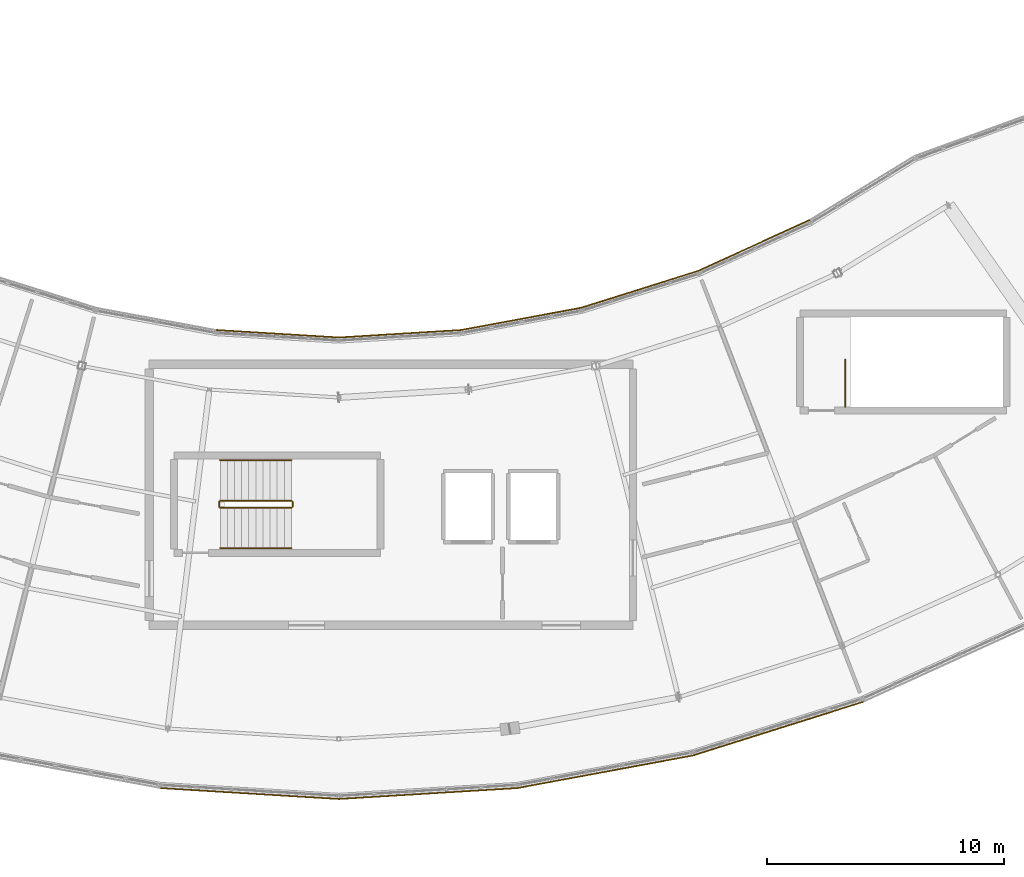
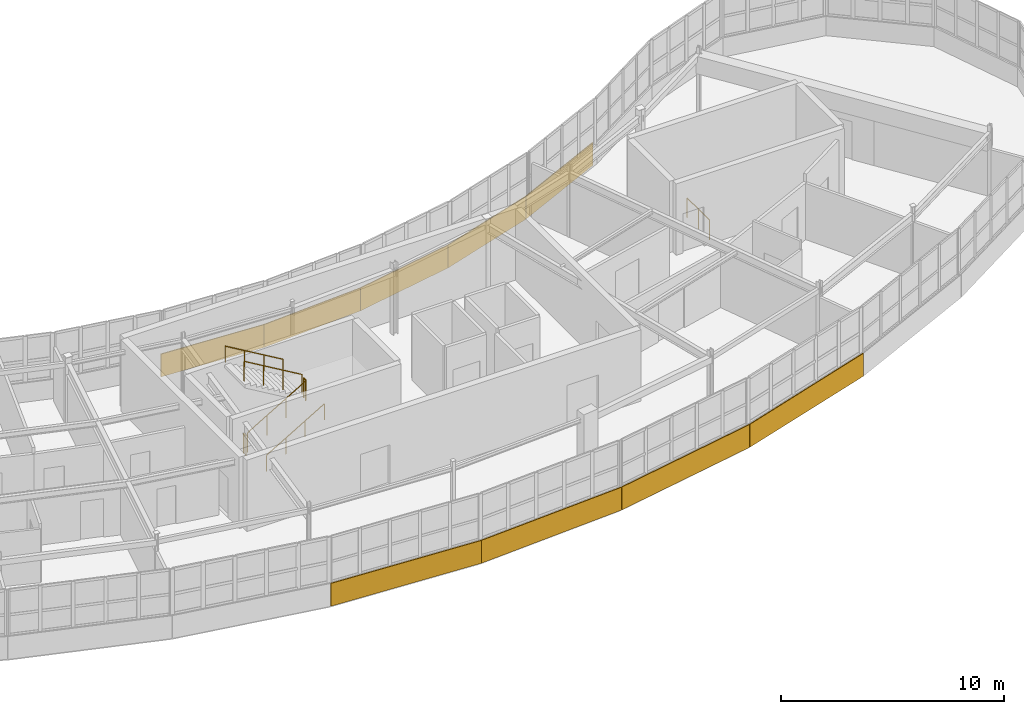
# One storey, part 74 of 79: 9 coverings, 7 railings.
"""IFC4 building model written with IfcOpenShell, lengths in metres."""

import ifcopenshell
import ifcopenshell.guid

model = None  # the IFC model being written
_history = None  # IfcOwnerHistory: only IFC2X3 demands one
_inside = {}  # id of a spatial element -> (the spatial element, [elements in it])
_under = {}  # id of a project, library or spatial element -> (it, [spatial elements below it])
_declared = {}  # id of a project -> (the project, [libraries it declares])
_typed = {}  # id of a type object -> (the type object, [elements of that type])
_made_of = {}  # id of a material, layer set ... -> (it, [elements and type objects made of it])


def new_model(schema):
    """Start an empty IFC model of exactly this schema.

    Asked for "IFC4X3", IfcOpenShell would pick the latest addendum, in which some entities
    have other attributes; the version numbers below select the first issue.
    IFC2X3 requires an IfcOwnerHistory on every rooted entity: one is made here for all.
    """
    global model, _history
    if schema == "IFC4X3":
        model = ifcopenshell.file(schema_version=(4, 3, 0, 0))
    else:
        model = ifcopenshell.file(schema=schema)
    _inside.clear()
    _under.clear()
    _declared.clear()
    _typed.clear()
    _made_of.clear()
    _history = None
    if model.schema == "IFC2X3":
        org = make("IfcOrganization", Name="unknown")
        user = make(
            "IfcPersonAndOrganization",
            ThePerson=make("IfcPerson", FamilyName="unknown"),
            TheOrganization=org,
        )
        app = make(
            "IfcApplication",
            ApplicationDeveloper=org,
            Version="unknown",
            ApplicationFullName="unknown",
            ApplicationIdentifier="unknown",
        )
        _history = make(
            "IfcOwnerHistory",
            OwningUser=user,
            OwningApplication=app,
            ChangeAction="ADDED",
            CreationDate=0,
        )
    return model


def make(cls, **values):
    """One entity of the class cls with the attributes given. An attribute that is None is left unset."""
    return model.create_entity(
        cls, **{name: value for name, value in values.items() if value is not None}
    )


def rooted(cls, **values):
    """An entity with a GlobalId (a new one), such as an element, a storey or a relation."""
    return make(cls, GlobalId=ifcopenshell.guid.new(), OwnerHistory=_history, **values)


def si_unit(unit_type, name, prefix=None):
    """IfcSIUnit, for example si_unit("LENGTHUNIT", "METRE", prefix="MILLI")."""
    return make("IfcSIUnit", UnitType=unit_type, Prefix=prefix, Name=name)


def assignment(units):
    """IfcUnitAssignment: the units of a project."""
    return None if units is None else make("IfcUnitAssignment", Units=units)


def point(xyz):
    """IfcCartesianPoint."""
    return None if xyz is None else make("IfcCartesianPoint", Coordinates=xyz)


def direction(xyz):
    """IfcDirection."""
    return None if xyz is None else make("IfcDirection", DirectionRatios=xyz)


def frame(location, z_axis=None, x_axis=None):
    """IfcAxis2Placement3D, a coordinate frame: its origin and axes. An axis left out is left unset."""
    return make(
        "IfcAxis2Placement3D",
        Location=point(location),
        Axis=direction(z_axis),
        RefDirection=direction(x_axis),
    )


def frame_2d(location, x_axis=None):
    """IfcAxis2Placement2D, a coordinate frame in the plane: its origin and x axis."""
    return make(
        "IfcAxis2Placement2D", Location=point(location), RefDirection=direction(x_axis)
    )


def origin():
    """The frame at (0, 0, 0) with its axes left unset."""
    return frame((0.0, 0.0, 0.0))


def origin_2d():
    """The frame at (0, 0) in the plane with its x axis left unset."""
    return frame_2d((0.0, 0.0))


def place(relative_to, where):
    """IfcLocalPlacement: puts the frame where relative to a parent placement (None: the world)."""
    return make(
        "IfcLocalPlacement", PlacementRelTo=relative_to, RelativePlacement=where
    )


def context(
    kind, dimensions, precision=None, world=None, true_north=None, identifier=None
):
    """IfcGeometricRepresentationContext, for example the 3D "Model" context."""
    return make(
        "IfcGeometricRepresentationContext",
        ContextIdentifier=identifier,
        ContextType=kind,
        CoordinateSpaceDimension=dimensions,
        Precision=precision,
        WorldCoordinateSystem=world,
        TrueNorth=true_north,
    )


def subcontext(parent, identifier, kind, view, scale=None):
    """IfcGeometricRepresentationSubContext, for example "Body" below "Model"."""
    return make(
        "IfcGeometricRepresentationSubContext",
        ContextIdentifier=identifier,
        ContextType=kind,
        ParentContext=parent,
        TargetScale=scale,
        TargetView=view,
    )


def project(units=None, contexts=None):
    """IfcProject with its units and contexts."""
    return rooted(
        "IfcProject",
        Name="project",
        RepresentationContexts=contexts,
        UnitsInContext=assignment(units),
    )


def spatial(cls, under=None, at=None, **own):
    """A site, building, storey or space (cls), placed at a placement, below another one or the project."""
    s = rooted(cls, ObjectPlacement=at, **own)
    if under is not None:
        _under.setdefault(under.id(), (under, []))[1].append(s)
    return s


def profile(cls, at=None, kind="AREA", **sizes):
    """A parametric profile (cls). Its sizes go by their IFC names, for example OverallWidth=200.0."""
    return make(cls, ProfileType=kind, Position=at, **sizes)


def rectangle(**sizes):
    """IfcRectangleProfileDef."""
    return profile("IfcRectangleProfileDef", **sizes)


def circle(**sizes):
    """IfcCircleProfileDef."""
    return profile("IfcCircleProfileDef", **sizes)


def extrude(swept, where, along, depth):
    """IfcExtrudedAreaSolid: the profile swept, set in the frame where, extruded along a direction by depth."""
    return make(
        "IfcExtrudedAreaSolid",
        SweptArea=swept,
        Position=where,
        ExtrudedDirection=direction(along),
        Depth=depth,
    )


def shape(context_of_items, identifier, shape_type, items):
    """IfcShapeRepresentation: the items that make up one representation, for example the "Body"."""
    return make(
        "IfcShapeRepresentation",
        ContextOfItems=context_of_items,
        RepresentationIdentifier=identifier,
        RepresentationType=shape_type,
        Items=items,
    )


def material(Name=None, Category=None):
    """IfcMaterial."""
    return make("IfcMaterial", Name=Name, Category=Category)


def layer(
    of_material, thickness, ventilated=None, Name=None, Category=None, Priority=None
):
    """IfcMaterialLayer: one layer of a wall or slab, of a material (None: an air gap)."""
    return make(
        "IfcMaterialLayer",
        Material=of_material,
        LayerThickness=thickness,
        IsVentilated=ventilated,
        Name=Name,
        Category=Category,
        Priority=Priority,
    )


def layer_set(layers, Name=None):
    """IfcMaterialLayerSet."""
    return make("IfcMaterialLayerSet", MaterialLayers=layers, LayerSetName=Name)


def made_of(thing, what):
    """Note that an element or type object is made of a material, layer set ...; save() writes the relation."""
    if what is not None:
        _made_of.setdefault(what.id(), (what, []))[1].append(thing)
    return thing


def type_object(cls, material=None, **own):
    """A type object (cls), such as IfcWallType, which elements share."""
    return made_of(rooted(cls, **own), material)


def element(
    cls,
    number,
    at=None,
    inside=None,
    cuts=None,
    type_object=None,
    material=None,
    context=None,
    identifier="Body",
    shape_type=None,
    held_by="IfcProductDefinitionShape",
    body=None,
    shapes=None,
    **own,
):
    """One element of the class cls, such as IfcWall. Its Tag is "e" and its number.

    at: its placement. inside: the storey or other place that contains it. cuts: it is an
    opening in that element (IfcRelVoidsElement). A single representation is given by context,
    identifier, shape_type and body (its items); several are given by shapes. held_by: the class
    of the entity that holds the representations. save() writes the other relations.
    """
    e = rooted(cls, Tag="e%d" % number, ObjectPlacement=at, **own)
    if body is not None:
        shapes = [shape(context, identifier, shape_type, body)]
    if shapes is not None:
        e.Representation = make(held_by, Representations=shapes)
    if inside is not None:
        _inside.setdefault(inside.id(), (inside, []))[1].append(e)
    if cuts is not None:
        rooted(
            "IfcRelVoidsElement", RelatingBuildingElement=cuts, RelatedOpeningElement=e
        )
    if type_object is not None:
        _typed.setdefault(type_object.id(), (type_object, []))[1].append(e)
    return made_of(e, material)


def aggregate(whole, parts):
    """IfcRelAggregates: a whole, such as a stair, and the parts it consists of."""
    return rooted("IfcRelAggregates", RelatingObject=whole, RelatedObjects=parts)


def save(model, path):
    """Write the relations noted so far, then the file.

    IfcRelAggregates (storeys below a building ...), IfcRelContainedInSpatialStructure (elements
    in a storey), IfcRelDefinesByType, IfcRelAssociatesMaterial and IfcRelDeclares: one each for
    every whole, place, type object, material and project.
    """
    for whole, parts in _under.values():
        aggregate(whole, parts)
    for where, things in _inside.values():
        rooted(
            "IfcRelContainedInSpatialStructure",
            RelatedElements=things,
            RelatingStructure=where,
        )
    for kind, things in _typed.values():
        rooted("IfcRelDefinesByType", RelatedObjects=things, RelatingType=kind)
    for what, things in _made_of.values():
        rooted("IfcRelAssociatesMaterial", RelatedObjects=things, RelatingMaterial=what)
    for by, libraries in _declared.values():
        rooted("IfcRelDeclares", RelatingContext=by, RelatedDefinitions=libraries)
    model.write(path)


model = new_model("IFC4")

# Units and contexts
model_context = context("Model", 3, precision=1e-05, world=origin(), true_north=direction((0.0, 1.0)))
body_context = subcontext(model_context, "Body", "Model", "MODEL_VIEW")
ifc_project = project(units=[si_unit("LENGTHUNIT", "METRE"), si_unit("AREAUNIT", "SQUARE_METRE"), si_unit("VOLUMEUNIT", "CUBIC_METRE"), si_unit("PLANEANGLEUNIT", "RADIAN"), si_unit("MASSUNIT", "GRAM", prefix="KILO")], contexts=[model_context])

# Site, building, storey
site_placement = place(None, origin())
site = spatial("IfcSite", under=ifc_project, at=site_placement, CompositionType="ELEMENT")
building_placement = place(site_placement, origin())
building = spatial("IfcBuilding", under=site, at=building_placement, Name="Tarnwether General Hospital", CompositionType="ELEMENT")
storey_placement = place(building_placement, frame((0.0, 0.0, 18.300048828125)))
storey = spatial("IfcBuildingStorey", under=building, at=storey_placement, Name="L04", CompositionType="ELEMENT", Elevation=18.300048828125)

# Coverings
ifc_material_1 = material(Name="Streamlined white enamelled aluminium", Category="aluminium")
ifc_layer = layer(ifc_material_1, 0.044921875)
ifc_layer_set = layer_set([ifc_layer], Name="Streamlined white enamelled aluminium")
covering_type = type_object("IfcCoveringType", Name="CV-CLD-WHT", PredefinedType="CLADDING", material=ifc_layer_set)
for number, where, z_axis, x_axis, name in (
    (1, (88.238037109375, 1.498046875, -0.175048828125), (0.0, 0.0, 1.0), (-0.998135863768, 0.061031118787, 0.0), "Streamlined White Horizontal Band SE L04 05"),
    (2, (95.761962890625, 1.498046875, -0.175048828125), (0.0, 0.0, 1.0), (-0.998135863768, -0.061031118787, 0.0), "Streamlined White Horizontal Band SE L04 06"),
    (3, (103.22900390625, 2.4150390625, -0.175048828125), (0.0, 0.0, 1.0), (-0.983245364386, -0.182287008349, 0.0), "Streamlined White Horizontal Band SE L04 07"),
    (4, (110.528076171875, 4.235107421875, -0.175048828125), (0.0, 0.0, 1.0), (-0.953743188648, -0.300622570855, 0.0), "Streamlined White Horizontal Band SE L04 08"),
):
    element("IfcCovering", number, at=place(storey_placement, frame(where, z_axis=z_axis, x_axis=x_axis)), inside=storey, type_object=covering_type, Name=name, PredefinedType="CLADDING", context=body_context, shape_type="SweptSolid", body=[
        extrude(rectangle(XDim=7.52099609375, YDim=0.044921875, at=origin_2d()), origin(), (0.0, 0.0, 1.0), 1.25),
    ])
covering_1_placement = place(storey_placement, frame((109.49609375, 24.610107421875, -0.175048828125), z_axis=(0.0, 0.0, 1.0), x_axis=(0.909954032975, 0.414709124413, 0.0)))
element("IfcCovering", 5, at=covering_1_placement, inside=storey, type_object=covering_type, Name="Streamlined White Horizontal Band SE L04 18", PredefinedType="CLADDING", context=body_context, shape_type="SweptSolid", body=[
    extrude(rectangle(XDim=5.177001953125, YDim=0.044921875, at=origin_2d()), origin(), (0.0, 0.0, 1.0), 1.25),
])
covering_2_placement = place(storey_placement, frame((104.68603515625, 22.762939453125, -0.175048828125), z_axis=(0.0, 0.0, 1.0), x_axis=(0.953711702297, 0.300722444959, 0.0)))
element("IfcCovering", 6, at=covering_2_placement, inside=storey, type_object=covering_type, Name="Streamlined White Horizontal Band SE L04 19", PredefinedType="CLADDING", context=body_context, shape_type="SweptSolid", body=[
    extrude(rectangle(XDim=5.177978515625, YDim=0.044921875, at=origin_2d()), origin(), (0.0, 0.0, 1.0), 1.25),
])
for number, where, z_axis, x_axis, name in (
    (7, (99.68798828125, 21.51708984375, -0.175048828125), (0.0, 0.0, 1.0), (0.983267627608, 0.182166880906, 0.0), "Streamlined White Horizontal Band SE L04 20"),
    (8, (94.574951171875, 20.889892578125, -0.175048828125), (0.0, 0.0, 1.0), (0.998134798422, 0.061048539535, 0.0), "Streamlined White Horizontal Band SE L04 21"),
    (9, (89.425048828125, 20.889892578125, -0.175048828125), (0.0, 0.0, 1.0), (0.998134798422, -0.061048539535, 0.0), "Streamlined White Horizontal Band SE L04 22"),
):
    element("IfcCovering", number, at=place(storey_placement, frame(where, z_axis=z_axis, x_axis=x_axis)), inside=storey, type_object=covering_type, Name=name, PredefinedType="CLADDING", context=body_context, shape_type="SweptSolid", body=[
        extrude(rectangle(XDim=5.177001953125, YDim=0.044921875, at=origin_2d()), origin(), (0.0, 0.0, 1.0), 1.25),
    ])

# Railings
ifc_material_2 = material(Name="Anodised aluminium", Category="aluminium")
railing_type_1 = type_object("IfcRailingType", Name="RL-GRD-INT", PredefinedType="GUARDRAIL", material=ifc_material_2)
railing_1_placement = place(storey_placement, frame((87.0, 13.550048828125, 0.17724609375)))
element("IfcRailing", 10, at=railing_1_placement, inside=storey, type_object=railing_type_1, Name="L04 ST-02 stair guard 1", PredefinedType="GUARDRAIL", context=body_context, shape_type="SweptSolid", body=[
    extrude(circle(Radius=0.02392578125, at=origin_2d()), frame((0.0, 0.0, 1.076171875), z_axis=(0.86092931783, 0.0, 0.508724591208), x_axis=(0.0, 1.0, 0.0)), (0.0, 0.0, 1.0), 3.484619140625),
    extrude(circle(Radius=0.02099609375, at=origin_2d()), origin(), (0.0, 0.0, 1.0), 1.052001953125),
    extrude(circle(Radius=0.02099609375, at=origin_2d()), frame((1.0, 0.0, 0.5908203125)), (0.0, 0.0, 1.0), 1.052001953125),
    extrude(circle(Radius=0.02099609375, at=origin_2d()), frame((2.0, 0.0, 1.181884765625)), (0.0, 0.0, 1.0), 1.052001953125),
    extrude(circle(Radius=0.02099609375, at=origin_2d()), frame((3.0, 0.0, 1.772705078125)), (0.0, 0.0, 1.0), 1.052001953125),
])
railing_2_placement = place(storey_placement, frame((90.050048828125, 13.60009765625, 1.949951171875)))
element("IfcRailing", 11, at=railing_2_placement, inside=storey, type_object=railing_type_1, Name="L04 ST-02 stair guard 2", PredefinedType="GUARDRAIL", context=body_context, shape_type="SweptSolid", body=[
    extrude(circle(Radius=0.02392578125, at=origin_2d()), frame((0.0, 0.0, 1.076171875), z_axis=(0.0, 1.0, 0.0), x_axis=(-1.0, 0.0, 0.0)), (0.0, 0.0, 1.0), 0.199951171875),
    extrude(circle(Radius=0.02099609375, at=origin_2d()), origin(), (0.0, 0.0, 1.0), 1.052001953125),
    extrude(circle(Radius=0.02099609375, at=origin_2d()), frame((0.0, 0.199951171875, 0.0)), (0.0, 0.0, 1.0), 1.052001953125),
])
railing_3_placement = place(storey_placement, frame((90.0, 13.85009765625, 2.127197265625)))
element("IfcRailing", 12, at=railing_3_placement, inside=storey, type_object=railing_type_1, Name="L04 ST-02 stair guard 3", PredefinedType="GUARDRAIL", context=body_context, shape_type="SweptSolid", body=[
    extrude(circle(Radius=0.02392578125, at=origin_2d()), frame((0.0, 0.0, 1.076171875), z_axis=(-0.86092931783, 0.0, 0.508724591208), x_axis=(0.0, -1.0, 0.0)), (0.0, 0.0, 1.0), 3.484619140625),
    extrude(circle(Radius=0.02099609375, at=origin_2d()), origin(), (0.0, 0.0, 1.0), 1.052001953125),
    extrude(circle(Radius=0.02099609375, at=origin_2d()), frame((-1.0, 0.0, 0.5908203125)), (0.0, 0.0, 1.0), 1.052001953125),
    extrude(circle(Radius=0.02099609375, at=origin_2d()), frame((-2.0, 0.0, 1.181884765625)), (0.0, 0.0, 1.0), 1.052001953125),
    extrude(circle(Radius=0.02099609375, at=origin_2d()), frame((-3.0, 0.0, 1.772705078125)), (0.0, 0.0, 1.0), 1.052001953125),
])
railing_4_placement = place(storey_placement, frame((86.949951171875, 13.60009765625, 0.0)))
element("IfcRailing", 13, at=railing_4_placement, inside=storey, type_object=railing_type_1, Name="L04 ST-02 stair guard 4", PredefinedType="GUARDRAIL", context=body_context, shape_type="SweptSolid", body=[
    extrude(circle(Radius=0.02392578125, at=origin_2d()), frame((0.0, 0.0, 1.076171875), z_axis=(0.0, 1.0, 0.0), x_axis=(-1.0, 0.0, 0.0)), (0.0, 0.0, 1.0), 0.199951171875),
    extrude(circle(Radius=0.02099609375, at=origin_2d()), origin(), (0.0, 0.0, 1.0), 1.052001953125),
    extrude(circle(Radius=0.02099609375, at=origin_2d()), frame((0.0, 0.199951171875, 0.0)), (0.0, 0.0, 1.0), 1.052001953125),
])
railing_5_placement = place(storey_placement, frame((113.35009765625, 17.800048828125, 0.0)))
element("IfcRailing", 14, at=railing_5_placement, inside=storey, type_object=railing_type_1, Name="L04 ST-10 top well guard 1", PredefinedType="GUARDRAIL", context=body_context, shape_type="SweptSolid", body=[
    extrude(circle(Radius=0.02392578125, at=origin_2d()), frame((0.0, 0.0, 1.076171875), z_axis=(0.0, 1.0, 0.0), x_axis=(-1.0, 0.0, 0.0)), (0.0, 0.0, 1.0), 2.0),
    extrude(circle(Radius=0.02099609375, at=origin_2d()), origin(), (0.0, 0.0, 1.0), 1.052001953125),
    extrude(circle(Radius=0.02099609375, at=origin_2d()), frame((0.0, 1.0, 0.0)), (0.0, 0.0, 1.0), 1.052001953125),
    extrude(circle(Radius=0.02099609375, at=origin_2d()), frame((0.0, 2.0, 0.0)), (0.0, 0.0, 1.0), 1.052001953125),
])
ifc_material_3 = material(Name="Anodised aluminium", Category="aluminium")
railing_type_2 = type_object("IfcRailingType", Name="RL-HND-INT", PredefinedType="HANDRAIL", material=ifc_material_3)
railing_6_placement = place(storey_placement, frame((87.0, 11.85009765625, 0.17724609375)))
element("IfcRailing", 15, at=railing_6_placement, inside=storey, type_object=railing_type_2, Name="L04 ST-02 stair handrail 1", PredefinedType="HANDRAIL", context=body_context, shape_type="SweptSolid", body=[
    extrude(circle(Radius=0.02392578125, at=origin_2d()), frame((0.0, 0.0, 0.8759765625), z_axis=(0.86092931783, 0.0, 0.508724591208), x_axis=(0.0, 1.0, 0.0)), (0.0, 0.0, 1.0), 3.484619140625),
    extrude(circle(Radius=0.02099609375, at=origin_2d()), origin(), (0.0, 0.0, 1.0), 0.851806640625),
    extrude(circle(Radius=0.02099609375, at=origin_2d()), frame((1.0, 0.0, 0.5908203125)), (0.0, 0.0, 1.0), 0.851806640625),
    extrude(circle(Radius=0.02099609375, at=origin_2d()), frame((2.0, 0.0, 1.181884765625)), (0.0, 0.0, 1.0), 0.851806640625),
    extrude(circle(Radius=0.02099609375, at=origin_2d()), frame((3.0, 0.0, 1.772705078125)), (0.0, 0.0, 1.0), 0.851806640625),
])
railing_7_placement = place(storey_placement, frame((90.0, 15.550048828125, 2.127197265625)))
element("IfcRailing", 16, at=railing_7_placement, inside=storey, type_object=railing_type_2, Name="L04 ST-02 stair handrail 2", PredefinedType="HANDRAIL", context=body_context, shape_type="SweptSolid", body=[
    extrude(circle(Radius=0.02392578125, at=origin_2d()), frame((0.0, 0.0, 0.8759765625), z_axis=(-0.86092931783, 0.0, 0.508724591208), x_axis=(0.0, -1.0, 0.0)), (0.0, 0.0, 1.0), 3.484619140625),
    extrude(circle(Radius=0.02099609375, at=origin_2d()), origin(), (0.0, 0.0, 1.0), 0.851806640625),
    extrude(circle(Radius=0.02099609375, at=origin_2d()), frame((-1.0, 0.0, 0.5908203125)), (0.0, 0.0, 1.0), 0.851806640625),
    extrude(circle(Radius=0.02099609375, at=origin_2d()), frame((-2.0, 0.0, 1.181884765625)), (0.0, 0.0, 1.0), 0.851806640625),
    extrude(circle(Radius=0.02099609375, at=origin_2d()), frame((-3.0, 0.0, 1.772705078125)), (0.0, 0.0, 1.0), 0.851806640625),
])

save(model, "model.ifc")
